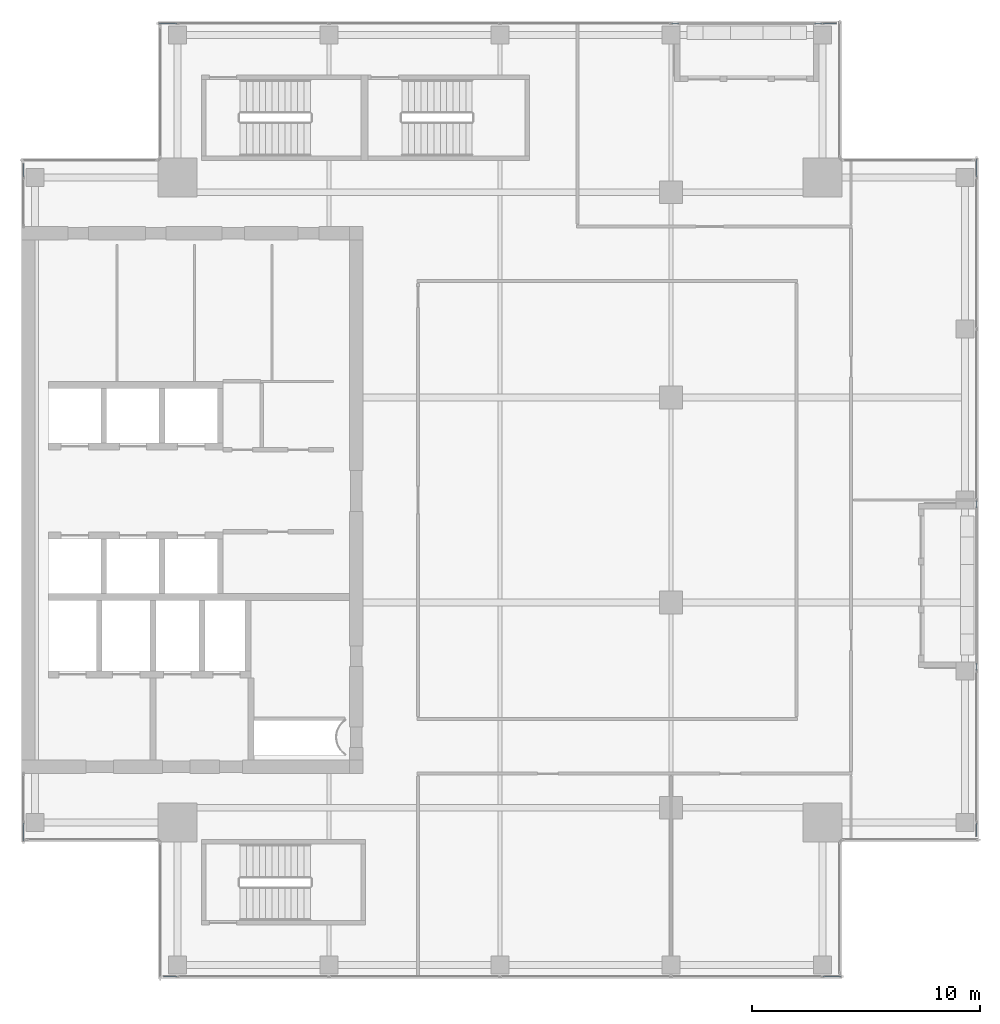
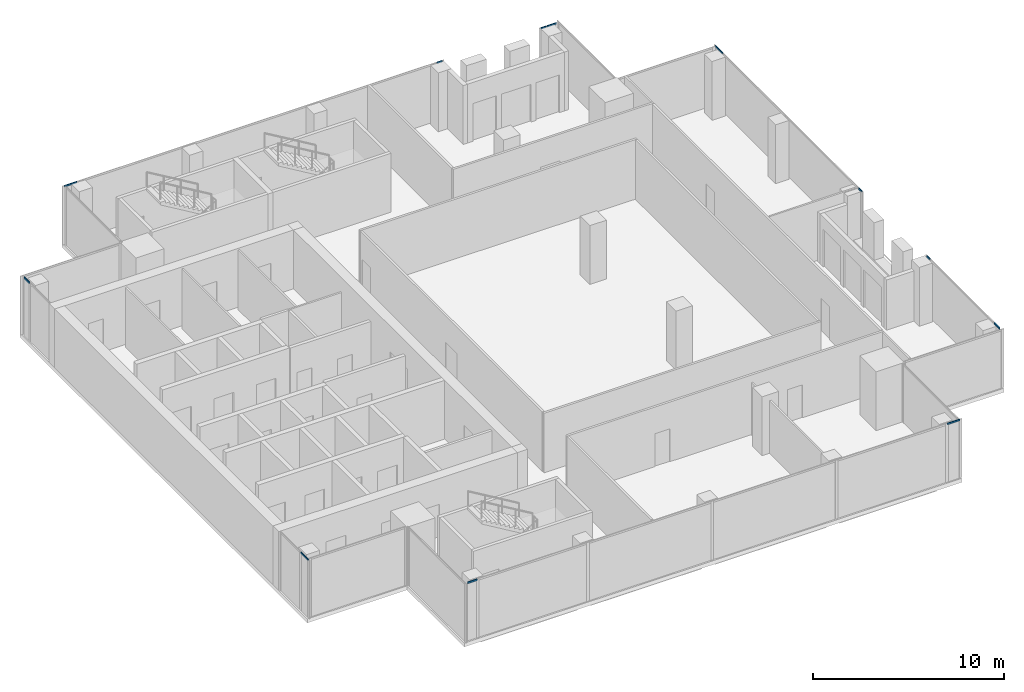
# One storey, part 19 of 29: 12 members, 7 elements without a shape of their own.
"""IFC4 building model written with IfcOpenShell, lengths in metres."""

from ifc_helpers import new_model, si_unit, direction, frame, origin, origin_2d, place, context, subcontext, project, spatial, hollow_rectangle, extrude, source, transform, mapped, material, material_profile, profile_set, type_object, element, aggregate, save


model = new_model("IFC4")

# Units and contexts
model_context = context("Model", 3, precision=1e-05, world=origin(), true_north=direction((0.0, 1.0)))
body_context = subcontext(model_context, "Body", "Model", "MODEL_VIEW")
ifc_project = project(units=[si_unit("LENGTHUNIT", "METRE"), si_unit("AREAUNIT", "SQUARE_METRE"), si_unit("VOLUMEUNIT", "CUBIC_METRE"), si_unit("PLANEANGLEUNIT", "RADIAN"), si_unit("MASSUNIT", "GRAM", prefix="KILO")], contexts=[model_context])

# Site, building, storey
site_placement = place(None, origin())
site = spatial("IfcSite", under=ifc_project, at=site_placement, CompositionType="ELEMENT")
building_placement = place(site_placement, origin())
building = spatial("IfcBuilding", under=site, at=building_placement, Name="Khomas Fold Tower", CompositionType="ELEMENT")
storey_placement = place(building_placement, frame((0.0, 0.0, 326.199951171875)))
storey = spatial("IfcBuildingStorey", under=building, at=storey_placement, Name="L74", CompositionType="ELEMENT", Elevation=326.199951171875)

# Curtain wall, member
ifc_material_1 = material(Name="Aluminium framed double glazing", Category="aluminium")
curtain_wall_type = type_object("IfcCurtainWallType", Name="SK-Unitised clear-glass wall, upper floors CW3", PredefinedType="NOTDEFINED", material=ifc_material_1)
curtain_wall_1_placement = place(storey_placement, origin())
curtain_wall_1 = element("IfcCurtainWall", 1, at=curtain_wall_1_placement, inside=storey, type_object=curtain_wall_type, Name="CW3 run L74 00-0", PredefinedType="NOTDEFINED")
ifc_material_2 = material(Name="Aluminium", Category="aluminium")
ifc_material_profile = material_profile(ifc_material_2, hollow_rectangle(XDim=0.050048828125, YDim=0.10009765625, WallThickness=0.00390625, at=origin_2d()), Name="SK-Unitised clear-glass wall, upper floors transom CW3-T")
ifc_profile_set = profile_set([ifc_material_profile], Name="Aluminium")
member_type = type_object("IfcMemberType", Name="SK-Unitised clear-glass wall, upper floors transom CW3-T", PredefinedType="USERDEFINED", material=ifc_profile_set)
shared_shape_1 = source(origin(), body_context, "Body", "SweptSolid", [
    extrude(hollow_rectangle(XDim=0.050048828125, YDim=0.10009765625, WallThickness=0.00390625, at=origin_2d()), origin(), (0.0, 0.0, 1.0), 0.574951171875),
])
member_1_placement = place(storey_placement, frame((12.25, 6.10009765625, 3.699951171875), z_axis=(1.0, 0.0, 0.0), x_axis=(0.0, 1.0, 0.0)))
member_1 = element("IfcMember", 2, at=member_1_placement, type_object=member_type, Name="CW3 transom 1", ObjectType="TRANSOM", PredefinedType="USERDEFINED", context=body_context, shape_type="MappedRepresentation", body=[
    mapped(shared_shape_1, transform((0.0, 0.0, 0.0))),
])

curtain_wall_2_placement = place(storey_placement, origin())
curtain_wall_2 = element("IfcCurtainWall", 3, at=curtain_wall_2_placement, inside=storey, type_object=curtain_wall_type, Name="CW3 run L74 03-0", PredefinedType="NOTDEFINED")
member_2_placement = place(storey_placement, frame((47.89990234375, 12.25, 3.699951171875), z_axis=(0.0, 1.0, 0.0), x_axis=(-1.0, 0.0, 0.0)))
member_2 = element("IfcMember", 4, at=member_2_placement, type_object=member_type, Name="CW3 transom 1", ObjectType="TRANSOM", PredefinedType="USERDEFINED", context=body_context, shape_type="MappedRepresentation", body=[
    mapped(shared_shape_1, transform((0.0, 0.0, 0.0))),
])

curtain_wall_3_placement = place(storey_placement, origin())
curtain_wall_3 = element("IfcCurtainWall", 5, at=curtain_wall_3_placement, inside=storey, type_object=curtain_wall_type, Name="CW3 run L74 06-0", PredefinedType="NOTDEFINED")
member_3_placement = place(storey_placement, frame((41.75, 47.89990234375, 3.699951171875), z_axis=(-1.0, 0.0, 0.0), x_axis=(0.0, -1.0, 0.0)))
member_3 = element("IfcMember", 6, at=member_3_placement, type_object=member_type, Name="CW3 transom 1", ObjectType="TRANSOM", PredefinedType="USERDEFINED", context=body_context, shape_type="MappedRepresentation", body=[
    mapped(shared_shape_1, transform((0.0, 0.0, 0.0))),
])

curtain_wall_4_placement = place(storey_placement, origin())
curtain_wall_4 = element("IfcCurtainWall", 7, at=curtain_wall_4_placement, inside=storey, type_object=curtain_wall_type, Name="CW3 run L74 09-0", PredefinedType="NOTDEFINED")
member_4_placement = place(storey_placement, frame((6.10009765625, 41.75, 3.699951171875), z_axis=(0.0, -1.0, 0.0), x_axis=(1.0, 0.0, 0.0)))
member_4 = element("IfcMember", 8, at=member_4_placement, type_object=member_type, Name="CW3 transom 1", ObjectType="TRANSOM", PredefinedType="USERDEFINED", context=body_context, shape_type="MappedRepresentation", body=[
    mapped(shared_shape_1, transform((0.0, 0.0, 0.0))),
])
aggregate(curtain_wall_4, [member_4])

# Member
shared_shape_2 = source(origin(), body_context, "Body", "SweptSolid", [
    extrude(hollow_rectangle(XDim=0.050048828125, YDim=0.10009765625, WallThickness=0.00390625, at=origin_2d()), origin(), (0.0, 0.0, 1.0), 0.77490234375),
])
member_5_placement = place(storey_placement, frame((41.175048828125, 6.10009765625, 3.699951171875), z_axis=(1.0, 0.0, 0.0), x_axis=(0.0, 1.0, 0.0)))
member_5 = element("IfcMember", 9, at=member_5_placement, type_object=member_type, Name="CW3 transom 6", ObjectType="TRANSOM", PredefinedType="USERDEFINED", context=body_context, shape_type="MappedRepresentation", body=[
    mapped(shared_shape_2, transform((0.0, 0.0, 0.0))),
])

aggregate(curtain_wall_1, [member_1, member_5])

# Curtain wall, member
curtain_wall_5_placement = place(storey_placement, origin())
curtain_wall_5 = element("IfcCurtainWall", 10, at=curtain_wall_5_placement, inside=storey, type_object=curtain_wall_type, Name="CW3 run L74 03-1", PredefinedType="NOTDEFINED")
member_6_placement = place(storey_placement, frame((47.89990234375, 41.175048828125, 3.699951171875), z_axis=(0.0, 1.0, 0.0), x_axis=(-1.0, 0.0, 0.0)))
member_6 = element("IfcMember", 11, at=member_6_placement, type_object=member_type, Name="CW3 transom 4", ObjectType="TRANSOM", PredefinedType="USERDEFINED", context=body_context, shape_type="MappedRepresentation", body=[
    mapped(shared_shape_2, transform((0.0, 0.0, 0.0))),
])

curtain_wall_6_placement = place(storey_placement, origin())
curtain_wall_6 = element("IfcCurtainWall", 12, at=curtain_wall_6_placement, inside=storey, type_object=curtain_wall_type, Name="CW3 run L74 06-1", PredefinedType="NOTDEFINED")
member_7_placement = place(storey_placement, frame((12.824951171875, 47.89990234375, 3.699951171875), z_axis=(-1.0, 0.0, 0.0), x_axis=(0.0, -1.0, 0.0)))
member_7 = element("IfcMember", 13, at=member_7_placement, type_object=member_type, Name="CW3 transom 5", ObjectType="TRANSOM", PredefinedType="USERDEFINED", context=body_context, shape_type="MappedRepresentation", body=[
    mapped(shared_shape_2, transform((0.0, 0.0, 0.0))),
])

curtain_wall_7_placement = place(storey_placement, origin())
curtain_wall_7 = element("IfcCurtainWall", 14, at=curtain_wall_7_placement, inside=storey, type_object=curtain_wall_type, Name="CW3 run L74 09-1", PredefinedType="NOTDEFINED")
member_8_placement = place(storey_placement, frame((6.10009765625, 12.824951171875, 3.699951171875), z_axis=(0.0, -1.0, 0.0), x_axis=(1.0, 0.0, 0.0)))
member_8 = element("IfcMember", 15, at=member_8_placement, type_object=member_type, Name="CW3 transom 2", ObjectType="TRANSOM", PredefinedType="USERDEFINED", context=body_context, shape_type="MappedRepresentation", body=[
    mapped(shared_shape_2, transform((0.0, 0.0, 0.0))),
])
aggregate(curtain_wall_7, [member_8])

# Member
shared_shape_3 = source(origin(), body_context, "Body", "SweptSolid", [
    extrude(hollow_rectangle(XDim=0.050048828125, YDim=0.10009765625, WallThickness=0.00390625, at=origin_2d()), origin(), (0.0, 0.0, 1.0), 0.3251953125),
])
member_9_placement = place(storey_placement, frame((47.89990234375, 19.52490234375, 3.699951171875), z_axis=(0.0, 1.0, 0.0), x_axis=(-1.0, 0.0, 0.0)))
member_9 = element("IfcMember", 16, at=member_9_placement, type_object=member_type, Name="CW3 transom 3", ObjectType="TRANSOM", PredefinedType="USERDEFINED", context=body_context, shape_type="MappedRepresentation", body=[
    mapped(shared_shape_3, transform((0.0, 0.0, 0.0))),
])

aggregate(curtain_wall_2, [member_2, member_9])

member_10_placement = place(storey_placement, frame((47.89990234375, 26.64990234375, 3.699951171875), z_axis=(0.0, 1.0, 0.0), x_axis=(-1.0, 0.0, 0.0)))
member_10 = element("IfcMember", 17, at=member_10_placement, type_object=member_type, Name="CW3 transom 1", ObjectType="TRANSOM", PredefinedType="USERDEFINED", context=body_context, shape_type="MappedRepresentation", body=[
    mapped(shared_shape_3, transform((0.0, 0.0, 0.0))),
])

aggregate(curtain_wall_5, [member_10, member_6])

member_11_placement = place(storey_placement, frame((34.85009765625, 47.89990234375, 3.699951171875), z_axis=(-1.0, 0.0, 0.0), x_axis=(0.0, -1.0, 0.0)))
member_11 = element("IfcMember", 18, at=member_11_placement, type_object=member_type, Name="CW3 transom 1", ObjectType="TRANSOM", PredefinedType="USERDEFINED", context=body_context, shape_type="MappedRepresentation", body=[
    mapped(shared_shape_3, transform((0.0, 0.0, 0.0))),
])

aggregate(curtain_wall_6, [member_11, member_7])

shared_shape_4 = source(origin(), body_context, "Body", "SweptSolid", [
    extrude(hollow_rectangle(XDim=0.050048828125, YDim=0.10009765625, WallThickness=0.00390625, at=origin_2d()), origin(), (0.0, 0.0, 1.0), 0.324951171875),
])
member_12_placement = place(storey_placement, frame((41.125, 47.89990234375, 3.699951171875), z_axis=(-1.0, 0.0, 0.0), x_axis=(0.0, -1.0, 0.0)))
member_12 = element("IfcMember", 19, at=member_12_placement, type_object=member_type, Name="CW3 transom 2", ObjectType="TRANSOM", PredefinedType="USERDEFINED", context=body_context, shape_type="MappedRepresentation", body=[
    mapped(shared_shape_4, transform((0.0, 0.0, 0.0))),
])

aggregate(curtain_wall_3, [member_3, member_12])

save(model, "model.ifc")
